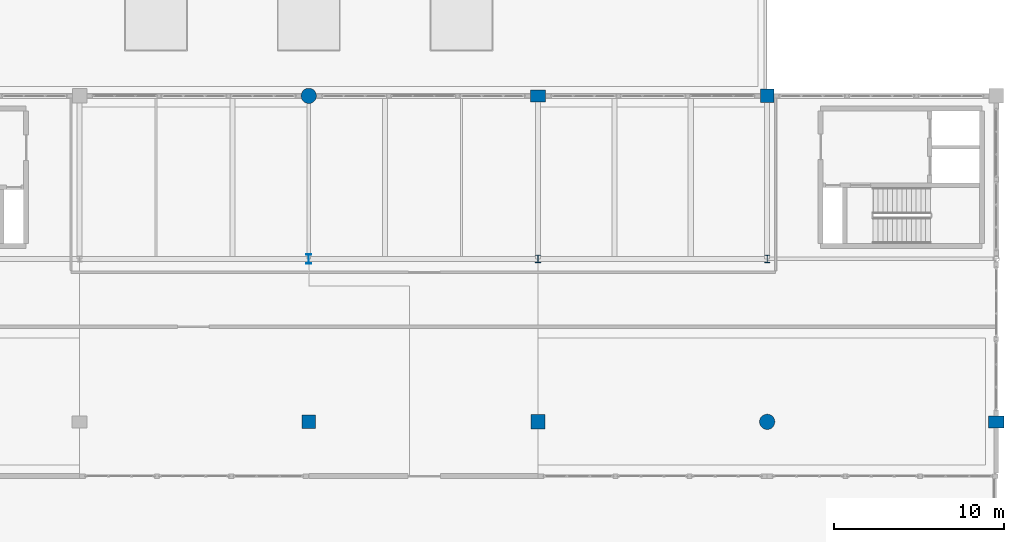
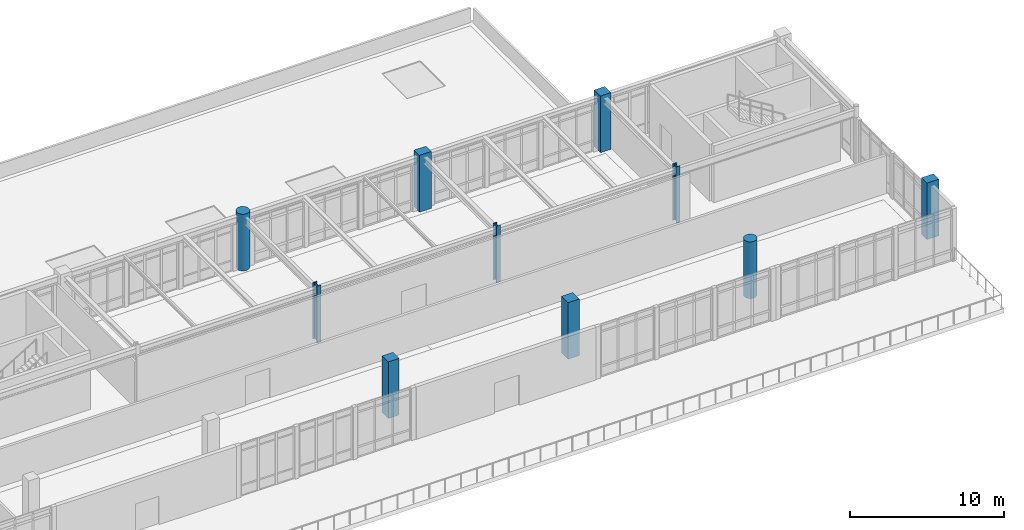
# One storey, part 3 of 55: 10 columns.
"""IFC4 building model written with IfcOpenShell, lengths in metres."""

from ifc_helpers import new_model, si_unit, direction, frame, origin, origin_2d, place, context, subcontext, project, spatial, rectangle, circle, i_section, extrude, material, material_profile, profile_set, type_object, element, save


model = new_model("IFC4")

# Units and contexts
model_context = context("Model", 3, precision=1e-05, world=origin(), true_north=direction((0.0, 1.0)))
body_context = subcontext(model_context, "Body", "Model", "MODEL_VIEW")
ifc_project = project(units=[si_unit("LENGTHUNIT", "METRE"), si_unit("AREAUNIT", "SQUARE_METRE"), si_unit("VOLUMEUNIT", "CUBIC_METRE"), si_unit("PLANEANGLEUNIT", "RADIAN"), si_unit("MASSUNIT", "GRAM", prefix="KILO")], contexts=[model_context])

# Site, building, storey
site_placement = place(None, origin())
site = spatial("IfcSite", under=ifc_project, at=site_placement, CompositionType="ELEMENT")
building_placement = place(site_placement, origin())
building = spatial("IfcBuilding", under=site, at=building_placement, Name="Fikremerkos Civic Library", CompositionType="ELEMENT")
storey_placement = place(building_placement, frame((0.0, 0.0, 18.89990234375)))
storey = spatial("IfcBuildingStorey", under=building, at=storey_placement, Name="L04", CompositionType="ELEMENT", Elevation=18.89990234375)

# Columns
ifc_material_1 = material(Name="Concrete C40/50", Category="concrete")
ifc_material_profile_1 = material_profile(ifc_material_1, rectangle(XDim=0.85009765625, YDim=0.85009765625, at=origin_2d()), Name="RC 850x850")
ifc_profile_set_1 = profile_set([ifc_material_profile_1], Name="Concrete C40/50")
column_type_1 = type_object("IfcColumnType", Name="Structural column COL-04 RC 850x850", PredefinedType="COLUMN", material=ifc_profile_set_1)
column_1_placement = place(storey_placement, frame((86.699951171875, 12.0, 0.0), z_axis=(0.0, 0.0, 1.0), x_axis=(1.0, 0.0, 0.0)))
element("IfcColumn", 1, at=column_1_placement, inside=storey, type_object=column_type_1, Name="Column COL-04 L04 8/E", PredefinedType="COLUMN", context=body_context, shape_type="SweptSolid", body=[
    extrude(rectangle(XDim=0.85009765625, YDim=0.85009765625, at=origin_2d()), origin(), (0.0, 0.0, 1.0), 4.5),
])
ifc_material_profile_2 = material_profile(ifc_material_1, rectangle(XDim=0.800048828125, YDim=0.800048828125, at=origin_2d()), Name="RC 800x800")
ifc_profile_set_2 = profile_set([ifc_material_profile_2], Name="Concrete C40/50")
column_type_2 = type_object("IfcColumnType", Name="Structural column COL-05 RC 800x800", PredefinedType="COLUMN", material=ifc_profile_set_2)
for number, where, z_axis, x_axis, name in (
    (2, (73.199951171875, 12.0, 0.0), (0.0, 0.0, 1.0), (1.0, 0.0, 0.0), "Column COL-05 L04 7/E"),
    (3, (100.199951171875, 31.199951171875, 0.0), (0.0, 0.0, 1.0), (1.0, 0.0, 0.0), "Column COL-05 L04 9/G"),
):
    element("IfcColumn", number, at=place(storey_placement, frame(where, z_axis=z_axis, x_axis=x_axis)), inside=storey, type_object=column_type_2, Name=name, PredefinedType="COLUMN", context=body_context, shape_type="SweptSolid", body=[
        extrude(rectangle(XDim=0.800048828125, YDim=0.800048828125, at=origin_2d()), origin(), (0.0, 0.0, 1.0), 4.5),
    ])
ifc_material_profile_3 = material_profile(ifc_material_1, rectangle(XDim=0.89990234375, YDim=0.699951171875, at=origin_2d()), Name="RC 900x700")
ifc_profile_set_3 = profile_set([ifc_material_profile_3], Name="Concrete C40/50")
column_type_3 = type_object("IfcColumnType", Name="Structural column COL-13 RC 900x700", PredefinedType="COLUMN", material=ifc_profile_set_3)
for number, where, z_axis, x_axis, name in (
    (4, (86.699951171875, 31.199951171875, 0.0), (0.0, 0.0, 1.0), (1.0, 0.0, 0.0), "Column COL-13 L04 8/G"),
    (5, (113.699951171875, 12.0, 0.0), (0.0, 0.0, 1.0), (1.0, 0.0, 0.0), "Column COL-13 L04 10/E"),
):
    element("IfcColumn", number, at=place(storey_placement, frame(where, z_axis=z_axis, x_axis=x_axis)), inside=storey, type_object=column_type_3, Name=name, PredefinedType="COLUMN", context=body_context, shape_type="SweptSolid", body=[
        extrude(rectangle(XDim=0.89990234375, YDim=0.699951171875, at=origin_2d()), origin(), (0.0, 0.0, 1.0), 4.5),
    ])
ifc_material_2 = material(Name="Concrete C45/55", Category="concrete")
ifc_material_profile_4 = material_profile(ifc_material_2, circle(Radius=0.449951171875, at=origin_2d()), Name="RC D900")
ifc_profile_set_4 = profile_set([ifc_material_profile_4], Name="Concrete C45/55")
column_type_4 = type_object("IfcColumnType", Name="Structural column COL-17 RC D900", PredefinedType="COLUMN", material=ifc_profile_set_4)
for number, where, z_axis, x_axis, name in (
    (6, (73.199951171875, 31.199951171875, 0.0), (0.0, 0.0, 1.0), (1.0, 0.0, 0.0), "Column COL-17 L04 7/G"),
    (7, (100.199951171875, 12.0, 0.0), (0.0, 0.0, 1.0), (1.0, 0.0, 0.0), "Column COL-17 L04 9/E"),
):
    element("IfcColumn", number, at=place(storey_placement, frame(where, z_axis=z_axis, x_axis=x_axis)), inside=storey, type_object=column_type_4, Name=name, PredefinedType="COLUMN", context=body_context, shape_type="SweptSolid", body=[
        extrude(circle(Radius=0.449951171875, at=origin_2d()), origin(), (0.0, 0.0, 1.0), 4.5),
    ])
ifc_material_3 = material(Name="Steel S355", Category="steel")
ifc_material_profile_5 = material_profile(ifc_material_3, i_section(OverallWidth=0.300048828125, OverallDepth=0.550048828125, WebThickness=0.014892578125, FlangeThickness=0.029052734375, FilletRadius=0.027099609375, at=origin_2d()), Name="HEB 550")
ifc_profile_set_5 = profile_set([ifc_material_profile_5], Name="Steel S355")
column_type_5 = type_object("IfcColumnType", Name="Structural column COL-21 HEB 550", PredefinedType="COLUMN", material=ifc_profile_set_5)
column_2_placement = place(storey_placement, frame((73.199951171875, 21.60009765625, 0.0), z_axis=(0.0, 0.0, 1.0), x_axis=(1.0, 0.0, 0.0)))
element("IfcColumn", 8, at=column_2_placement, inside=storey, type_object=column_type_5, Name="Column COL-21 L04 7/F", PredefinedType="COLUMN", context=body_context, shape_type="SweptSolid", body=[
    extrude(i_section(OverallWidth=0.300048828125, OverallDepth=0.550048828125, WebThickness=0.014892578125, FlangeThickness=0.029052734375, FilletRadius=0.027099609375, at=origin_2d()), origin(), (0.0, 0.0, 1.0), 4.5),
])
ifc_material_profile_6 = material_profile(ifc_material_3, i_section(OverallWidth=0.300048828125, OverallDepth=0.449951171875, WebThickness=0.013916015625, FlangeThickness=0.02587890625, FilletRadius=0.027099609375, at=origin_2d()), Name="HEB 450")
ifc_profile_set_6 = profile_set([ifc_material_profile_6], Name="Steel S355")
column_type_6 = type_object("IfcColumnType", Name="Structural column COL-23 HEB 450", PredefinedType="COLUMN", material=ifc_profile_set_6)
column_3_placement = place(storey_placement, frame((100.199951171875, 21.60009765625, 0.0), z_axis=(0.0, 0.0, 1.0), x_axis=(1.0, 0.0, 0.0)))
element("IfcColumn", 9, at=column_3_placement, inside=storey, type_object=column_type_6, Name="Column COL-23 L04 9/F", PredefinedType="COLUMN", context=body_context, shape_type="SweptSolid", body=[
    extrude(i_section(OverallWidth=0.300048828125, OverallDepth=0.449951171875, WebThickness=0.013916015625, FlangeThickness=0.02587890625, FilletRadius=0.027099609375, at=origin_2d()), origin(), (0.0, 0.0, 1.0), 4.5),
])
ifc_material_profile_7 = material_profile(ifc_material_3, i_section(OverallWidth=0.300048828125, OverallDepth=0.43994140625, WebThickness=0.011474609375, FlangeThickness=0.02099609375, FilletRadius=0.027099609375, at=origin_2d()), Name="HEA 450")
ifc_profile_set_7 = profile_set([ifc_material_profile_7], Name="Steel S355")
column_type_7 = type_object("IfcColumnType", Name="Structural column COL-28 HEA 450", PredefinedType="COLUMN", material=ifc_profile_set_7)
column_4_placement = place(storey_placement, frame((86.699951171875, 21.60009765625, 0.0), z_axis=(0.0, 0.0, 1.0), x_axis=(1.0, 0.0, 0.0)))
element("IfcColumn", 10, at=column_4_placement, inside=storey, type_object=column_type_7, Name="Column COL-28 L04 8/F", PredefinedType="COLUMN", context=body_context, shape_type="SweptSolid", body=[
    extrude(i_section(OverallWidth=0.300048828125, OverallDepth=0.43994140625, WebThickness=0.011474609375, FlangeThickness=0.02099609375, FilletRadius=0.027099609375, at=origin_2d()), origin(), (0.0, 0.0, 1.0), 4.5),
])

save(model, "model.ifc")
